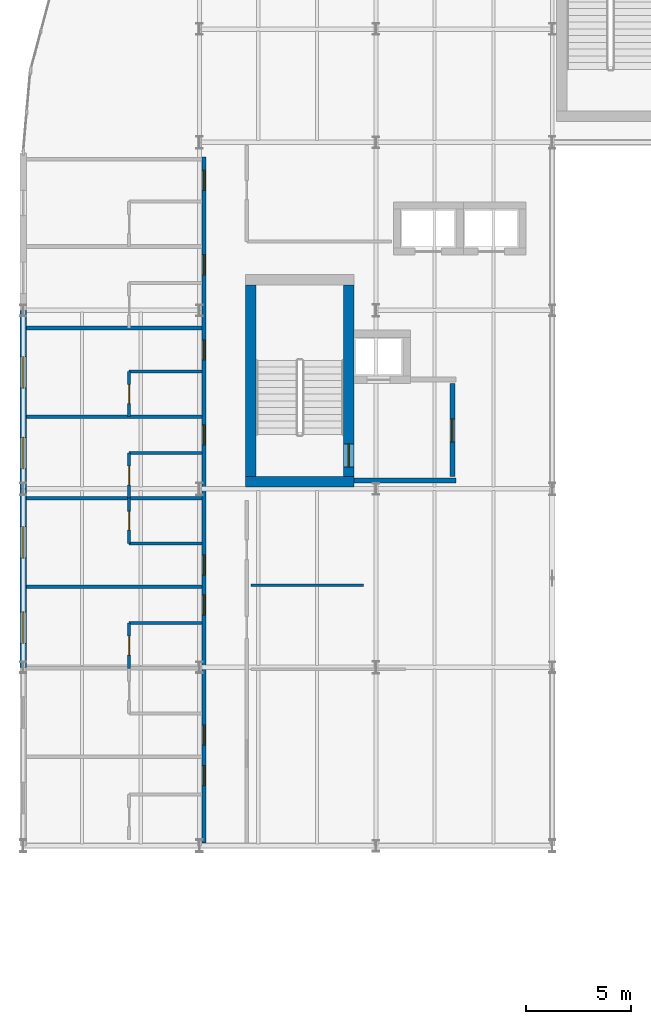
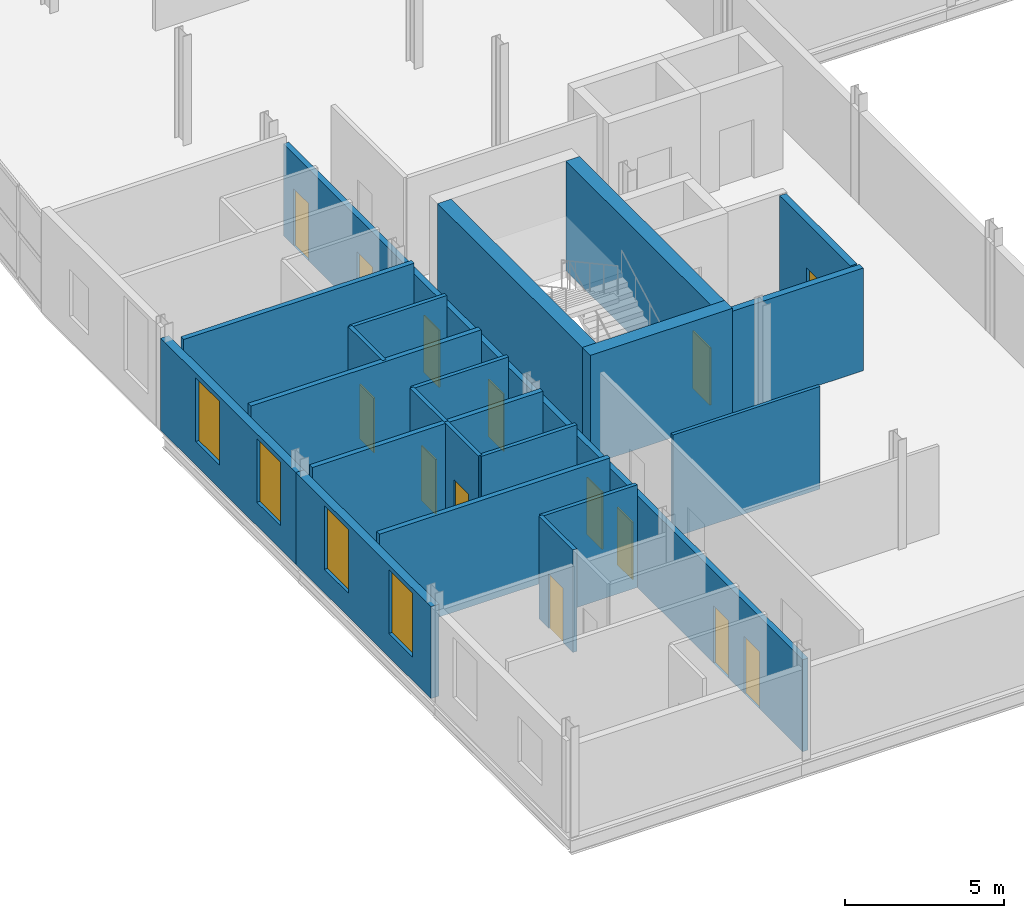
# One storey, part 31 of 45: 21 walls, 14 doors, 4 windows, 18 openings.
"""IFC4 building model written with IfcOpenShell, lengths in metres."""

from ifc_helpers import new_model, si_unit, direction, frame, frame_2d, origin, place, context, subcontext, project, spatial, rectangle, extrude, material, layer, layer_set, type_object, element, fill, save


model = new_model("IFC4")

# Units and contexts
model_context = context("Model", 3, precision=1e-05, world=origin(), true_north=direction((0.0, 1.0)))
body_context = subcontext(model_context, "Body", "Model", "MODEL_VIEW")
ifc_project = project(units=[si_unit("LENGTHUNIT", "METRE"), si_unit("AREAUNIT", "SQUARE_METRE"), si_unit("VOLUMEUNIT", "CUBIC_METRE"), si_unit("PLANEANGLEUNIT", "RADIAN"), si_unit("MASSUNIT", "GRAM", prefix="KILO")], contexts=[model_context])

# Site, building, storey
site_placement = place(None, origin())
site = spatial("IfcSite", under=ifc_project, at=site_placement, CompositionType="ELEMENT")
building_placement = place(site_placement, origin())
building = spatial("IfcBuilding", under=site, at=building_placement, Name="Sefraquen Railside Congress Hotel", CompositionType="ELEMENT")
storey_placement = place(building_placement, frame((0.0, 0.0, 20.39990234375)))
storey = spatial("IfcBuildingStorey", under=building, at=storey_placement, Name="L04", CompositionType="ELEMENT", Elevation=20.39990234375)

# Walls
ifc_material_1 = material(Name="Concrete C50/60", Category="concrete")
ifc_layer_1 = layer(ifc_material_1, 0.5)
ifc_layer_set_1 = layer_set([ifc_layer_1], Name="Concrete C50/60")
wall_type_1 = type_object("IfcWallType", Name="TW-CW-500", PredefinedType="SHEAR", material=ifc_layer_set_1)
wall_1_placement = place(storey_placement, frame((10.60009765625, 79.85009765625, 0.0), z_axis=(0.0, 0.0, 1.0), x_axis=(1.0, 0.0, 0.0)))
element("IfcWall", 1, at=wall_1_placement, inside=storey, type_object=wall_type_1, Name="Core shear wall ST-H01 S L04", PredefinedType="SHEAR", context=body_context, shape_type="SweptSolid", body=[
    extrude(rectangle(XDim=5.159912109375, YDim=0.5, at=frame_2d((2.580078125, 0.0))), origin(), (0.0, 0.0, 1.0), 4.2001953125),
])
wall_2_placement = place(storey_placement, frame((10.85009765625, 80.10009765625, 0.0), z_axis=(0.0, 0.0, 1.0), x_axis=(0.0, 1.0, 0.0)))
element("IfcWall", 2, at=wall_2_placement, inside=storey, type_object=wall_type_1, Name="Core shear wall ST-H01 W L04", PredefinedType="SHEAR", context=body_context, shape_type="SweptSolid", body=[
    extrude(rectangle(XDim=9.11181640625, YDim=0.5, at=frame_2d((4.555908203125, 0.0))), origin(), (0.0, 0.0, 1.0), 4.2001953125),
])

# Wall, opening, door
wall_3_placement = place(storey_placement, frame((15.510009765625, 80.10009765625, 0.0), z_axis=(0.0, 0.0, 1.0), x_axis=(0.0, 1.0, 0.0)))
wall_3 = element("IfcWall", 3, at=wall_3_placement, inside=storey, type_object=wall_type_1, Name="Core shear wall ST-H01 E L04", PredefinedType="SHEAR", context=body_context, shape_type="SweptSolid", body=[
    extrude(rectangle(XDim=9.11181640625, YDim=0.5, at=frame_2d((4.555908203125, 0.0))), origin(), (0.0, 0.0, 1.0), 4.2001953125),
])
opening_1_placement = place(wall_3_placement, frame((0.43994140625, 0.0, 0.0)))
opening_1 = element("IfcOpeningElement", 4, at=opening_1_placement, cuts=wall_3, Name="Opening FD-04", PredefinedType="OPENING", context=body_context, shape_type="SweptSolid", body=[
    extrude(rectangle(XDim=1.10009765625, YDim=2.199951171875, at=frame_2d((0.550048828125, 1.10009765625))), frame((0.0, 0.260009765625, 0.0), z_axis=(0.0, -1.0, 0.0), x_axis=(1.0, 0.0, 0.0)), (0.0, 0.0, 1.0), 0.52001953125),
])
ifc_material_2 = material(Name="Fire-rated steel", Category="steel")
door_type_1 = type_object("IfcDoorType", Name="TD-FD-04", OperationType="NOTDEFINED", PredefinedType="DOOR", material=ifc_material_2)
door_1_placement = place(opening_1_placement, origin())
door_1 = element("IfcDoor", 5, at=door_1_placement, inside=storey, type_object=door_type_1, Name="Pressurized stair ST-H01 fire door L04", OperationType="SINGLE_SWING_RIGHT", OverallHeight=2.199951171875, OverallWidth=1.10009765625, PredefinedType="DOOR", context=body_context, shape_type="SweptSolid", body=[
    extrude(rectangle(XDim=1.10009765625, YDim=2.199951171875, at=frame_2d((0.550048828125, 1.10009765625))), frame((0.0, 0.02490234375, 0.0), z_axis=(0.0, -1.0, 0.0), x_axis=(1.0, 0.0, 0.0)), (0.0, 0.0, 1.0), 0.050048828125),
])
fill(opening_1, door_1)

# Wall, openings, windows
ifc_material_3 = material(Name="Ochre Rabat calcarenite limestone and Concrete C40/50 backing", Category="masonry")
ifc_layer_2 = layer(ifc_material_3, 0.300048828125)
ifc_layer_set_2 = layer_set([ifc_layer_2], Name="Ochre Rabat calcarenite limestone and Concrete C40/50 backing")
wall_type_2 = type_object("IfcWallType", Name="TW-EW-300", PredefinedType="STANDARD", material=ifc_layer_set_2)
wall_4_placement = place(storey_placement, frame((0.0, 71.0, 0.0), z_axis=(0.0, 0.0, 1.0), x_axis=(0.0, 1.0, 0.0)))
wall_4 = element("IfcWall", 6, at=wall_4_placement, inside=storey, type_object=wall_type_2, Name="Hotel L04 West Forecourt facade wall", PredefinedType="STANDARD", context=body_context, shape_type="SweptSolid", body=[
    extrude(rectangle(XDim=8.5, YDim=0.300048828125, at=frame_2d((4.25, 0.0))), origin(), (0.0, 0.0, 1.0), 3.530029296875),
])
opening_2_placement = place(wall_4_placement, frame((1.14697265625, 0.0, 0.89990234375)))
opening_2 = element("IfcOpeningElement", 7, at=opening_2_placement, cuts=wall_4, Name="Opening WN-26", PredefinedType="OPENING", context=body_context, shape_type="SweptSolid", body=[
    extrude(rectangle(XDim=1.5, YDim=2.449951171875, at=frame_2d((0.75, 1.22509765625))), frame((0.0, 0.159912109375, 0.0), z_axis=(0.0, -1.0, 0.0), x_axis=(1.0, 0.0, 0.0)), (0.0, 0.0, 1.0), 0.320068359375),
])
opening_3_placement = place(wall_4_placement, frame((5.197021484375, 0.0, 0.89990234375)))
opening_3 = element("IfcOpeningElement", 8, at=opening_3_placement, cuts=wall_4, Name="Opening WN-27", PredefinedType="OPENING", context=body_context, shape_type="SweptSolid", body=[
    extrude(rectangle(XDim=1.5, YDim=2.449951171875, at=frame_2d((0.75, 1.22509765625))), frame((0.0, 0.159912109375, 0.0), z_axis=(0.0, -1.0, 0.0), x_axis=(1.0, 0.0, 0.0)), (0.0, 0.0, 1.0), 0.320068359375),
])
ifc_material_4 = material(Name="Solar-control low-E double glazing in bronze-anodised frame", Category="glass")
window_type_1 = type_object("IfcWindowType", Name="TWN-W-26", PartitioningType="DOUBLE_PANEL_VERTICAL", PredefinedType="WINDOW", material=ifc_material_4)
window_1_placement = place(opening_2_placement, origin())
window_1 = element("IfcWindow", 9, at=window_1_placement, inside=storey, type_object=window_type_1, Name="Guest room west window SP-L04-RM-026", OverallHeight=2.449951171875, OverallWidth=1.5, PartitioningType="DOUBLE_PANEL_VERTICAL", PredefinedType="WINDOW", context=body_context, shape_type="SweptSolid", body=[
    extrude(rectangle(XDim=1.5, YDim=2.449951171875, at=frame_2d((0.75, 1.22509765625))), frame((0.0, 0.030029296875, 0.0), z_axis=(0.0, -1.0, 0.0), x_axis=(1.0, 0.0, 0.0)), (0.0, 0.0, 1.0), 0.06005859375),
])
fill(opening_2, window_1)
window_type_2 = type_object("IfcWindowType", Name="TWN-W-27", PartitioningType="DOUBLE_PANEL_VERTICAL", PredefinedType="WINDOW", material=ifc_material_4)
window_2_placement = place(opening_3_placement, origin())
window_2 = element("IfcWindow", 10, at=window_2_placement, inside=storey, type_object=window_type_2, Name="Guest room west window SP-L04-RM-027", OverallHeight=2.449951171875, OverallWidth=1.5, PartitioningType="DOUBLE_PANEL_VERTICAL", PredefinedType="WINDOW", context=body_context, shape_type="SweptSolid", body=[
    extrude(rectangle(XDim=1.5, YDim=2.449951171875, at=frame_2d((0.75, 1.22509765625))), frame((0.0, 0.030029296875, 0.0), z_axis=(0.0, -1.0, 0.0), x_axis=(1.0, 0.0, 0.0)), (0.0, 0.0, 1.0), 0.06005859375),
])
fill(opening_3, window_2)

wall_5_placement = place(storey_placement, frame((0.0, 79.5, 0.0), z_axis=(0.0, 0.0, 1.0), x_axis=(0.0, 1.0, 0.0)))
wall_5 = element("IfcWall", 11, at=wall_5_placement, inside=storey, type_object=wall_type_2, Name="Hotel L04 West Forecourt facade wall", PredefinedType="STANDARD", context=body_context, shape_type="SweptSolid", body=[
    extrude(rectangle(XDim=8.5, YDim=0.300048828125, at=frame_2d((4.25, 0.0))), origin(), (0.0, 0.0, 1.0), 3.530029296875),
])
opening_4_placement = place(wall_5_placement, frame((0.947021484375, 0.0, 0.89990234375)))
opening_4 = element("IfcOpeningElement", 12, at=opening_4_placement, cuts=wall_5, Name="Opening WN-28", PredefinedType="OPENING", context=body_context, shape_type="SweptSolid", body=[
    extrude(rectangle(XDim=1.5, YDim=2.449951171875, at=frame_2d((0.75, 1.22509765625))), frame((0.0, 0.159912109375, 0.0), z_axis=(0.0, -1.0, 0.0), x_axis=(1.0, 0.0, 0.0)), (0.0, 0.0, 1.0), 0.320068359375),
])
opening_5_placement = place(wall_5_placement, frame((4.797119140625, 0.0, 0.89990234375)))
opening_5 = element("IfcOpeningElement", 13, at=opening_5_placement, cuts=wall_5, Name="Opening WN-29", PredefinedType="OPENING", context=body_context, shape_type="SweptSolid", body=[
    extrude(rectangle(XDim=1.5, YDim=2.449951171875, at=frame_2d((0.75, 1.22509765625))), frame((0.0, 0.159912109375, 0.0), z_axis=(0.0, -1.0, 0.0), x_axis=(1.0, 0.0, 0.0)), (0.0, 0.0, 1.0), 0.320068359375),
])
window_type_3 = type_object("IfcWindowType", Name="TWN-W-28", PartitioningType="DOUBLE_PANEL_VERTICAL", PredefinedType="WINDOW", material=ifc_material_4)
window_3_placement = place(opening_4_placement, origin())
window_3 = element("IfcWindow", 14, at=window_3_placement, inside=storey, type_object=window_type_3, Name="Guest room west window SP-L04-RM-028", OverallHeight=2.449951171875, OverallWidth=1.5, PartitioningType="DOUBLE_PANEL_VERTICAL", PredefinedType="WINDOW", context=body_context, shape_type="SweptSolid", body=[
    extrude(rectangle(XDim=1.5, YDim=2.449951171875, at=frame_2d((0.75, 1.22509765625))), frame((0.0, 0.030029296875, 0.0), z_axis=(0.0, -1.0, 0.0), x_axis=(1.0, 0.0, 0.0)), (0.0, 0.0, 1.0), 0.06005859375),
])
fill(opening_4, window_3)
window_type_4 = type_object("IfcWindowType", Name="TWN-W-29", PartitioningType="DOUBLE_PANEL_VERTICAL", PredefinedType="WINDOW", material=ifc_material_4)
window_4_placement = place(opening_5_placement, origin())
window_4 = element("IfcWindow", 15, at=window_4_placement, inside=storey, type_object=window_type_4, Name="Guest room west window SP-L04-RM-029", OverallHeight=2.449951171875, OverallWidth=1.5, PartitioningType="DOUBLE_PANEL_VERTICAL", PredefinedType="WINDOW", context=body_context, shape_type="SweptSolid", body=[
    extrude(rectangle(XDim=1.5, YDim=2.449951171875, at=frame_2d((0.75, 1.22509765625))), frame((0.0, 0.030029296875, 0.0), z_axis=(0.0, -1.0, 0.0), x_axis=(1.0, 0.0, 0.0)), (0.0, 0.0, 1.0), 0.06005859375),
])
fill(opening_5, window_4)

# Wall
ifc_material_5 = material(Name="Concrete C40/50", Category="concrete")
ifc_layer_3 = layer(ifc_material_5, 0.239990234375)
ifc_layer_set_3 = layer_set([ifc_layer_3], Name="Concrete C40/50")
wall_type_3 = type_object("IfcWallType", Name="TW-FW-240", PredefinedType="STANDARD", material=ifc_layer_set_3)
wall_6_placement = place(storey_placement, frame((15.760009765625, 79.89990234375, 0.0), z_axis=(0.0, 0.0, 1.0), x_axis=(1.0, 0.0, 0.0)))
element("IfcWall", 16, at=wall_6_placement, inside=storey, type_object=wall_type_3, Name="Firefighting Lift Lobby FFL-01 S fire wall L04", PredefinedType="STANDARD", context=body_context, shape_type="SweptSolid", body=[
    extrude(rectangle(XDim=4.860107421875, YDim=0.239990234375, at=frame_2d((2.43017578125, 0.0))), origin(), (0.0, 0.0, 1.0), 3.940185546875),
])

# Wall, opening, door
wall_7_placement = place(storey_placement, frame((20.43994140625, 80.080078125, 0.0), z_axis=(0.0, 0.0, 1.0), x_axis=(0.0, 1.0, 0.0)))
wall_7 = element("IfcWall", 17, at=wall_7_placement, inside=storey, type_object=wall_type_3, Name="Firefighting Lift Lobby FFL-01 EI 120 separation wall L04", PredefinedType="STANDARD", context=body_context, shape_type="SweptSolid", body=[
    extrude(rectangle(XDim=4.449951171875, YDim=0.239990234375, at=frame_2d((2.22509765625, 0.0))), origin(), (0.0, 0.0, 1.0), 3.940185546875),
])
opening_6_placement = place(wall_7_placement, frame((1.64990234375, 0.0, 0.0)))
opening_6 = element("IfcOpeningElement", 18, at=opening_6_placement, cuts=wall_7, Name="Opening FD-04", PredefinedType="OPENING", context=body_context, shape_type="SweptSolid", body=[
    extrude(rectangle(XDim=1.10009765625, YDim=2.199951171875, at=frame_2d((0.550048828125, 1.10009765625))), frame((0.0, 0.1298828125, 0.0), z_axis=(0.0, -1.0, 0.0), x_axis=(1.0, 0.0, 0.0)), (0.0, 0.0, 1.0), 0.260009765625),
])
door_2_placement = place(opening_6_placement, origin())
door_2 = element("IfcDoor", 19, at=door_2_placement, inside=storey, type_object=door_type_1, Name="Firefighting Lift Lobby FFL-01 self-closing fire door L04", OperationType="SINGLE_SWING_RIGHT", OverallHeight=2.199951171875, OverallWidth=1.10009765625, PredefinedType="DOOR", context=body_context, shape_type="SweptSolid", body=[
    extrude(rectangle(XDim=1.10009765625, YDim=2.199951171875, at=frame_2d((0.550048828125, 1.10009765625))), frame((0.0, 0.02490234375, 0.0), z_axis=(0.0, -1.0, 0.0), x_axis=(1.0, 0.0, 0.0)), (0.0, 0.0, 1.0), 0.050048828125),
])
fill(opening_6, door_2)

# Walls
ifc_material_6 = material(Name="Gypsum board on metal stud", Category="gypsum")
ifc_layer_4 = layer(ifc_material_6, 0.1201171875)
ifc_layer_set_4 = layer_set([ifc_layer_4], Name="Gypsum board on metal stud")
wall_type_4 = type_object("IfcWallType", Name="TW-PW-120", PredefinedType="PARTITIONING", material=ifc_layer_set_4)
wall_8_placement = place(storey_placement, frame((10.85009765625, 74.89990234375, 0.0), z_axis=(0.0, 0.0, 1.0), x_axis=(1.0, 0.0, 0.0)))
element("IfcWall", 20, at=wall_8_placement, inside=storey, type_object=wall_type_4, Name="Pantry-WC divider L04", PredefinedType="PARTITIONING", context=body_context, shape_type="SweptSolid", body=[
    extrude(rectangle(XDim=5.349853515625, YDim=0.1201171875, at=frame_2d((2.6748046875, 0.0))), origin(), (0.0, 0.0, 1.0), 3.940185546875),
])
ifc_material_7 = material(Name="Moisture-resistant gypsum board", Category="gypsum")
ifc_layer_5 = layer(ifc_material_7, 0.139892578125)
ifc_layer_set_5 = layer_set([ifc_layer_5], Name="Moisture-resistant gypsum board")
wall_type_5 = type_object("IfcWallType", Name="TW-PW-140", PredefinedType="PARTITIONING", material=ifc_layer_set_5)
wall_9_placement = place(storey_placement, frame((5.050048828125, 73.10595703125, 0.0), z_axis=(0.0, 0.0, 1.0), x_axis=(1.0, 0.0, 0.0)))
element("IfcWall", 21, at=wall_9_placement, inside=storey, type_object=wall_type_5, Name="West en-suite bathroom north wall RM-026", PredefinedType="PARTITIONING", context=body_context, shape_type="SweptSolid", body=[
    extrude(rectangle(XDim=3.469970703125, YDim=0.139892578125, at=frame_2d((1.73486328125, 0.0))), origin(), (0.0, 0.0, 1.0), 3.940185546875),
])

# Wall, opening, door
wall_10_placement = place(storey_placement, frame((5.050048828125, 70.9560546875, 0.0), z_axis=(0.0, 0.0, 1.0), x_axis=(0.0, 1.0, 0.0)))
wall_10 = element("IfcWall", 22, at=wall_10_placement, inside=storey, type_object=wall_type_5, Name="West en-suite bathroom west wall RM-026", PredefinedType="PARTITIONING", context=body_context, shape_type="SweptSolid", body=[
    extrude(rectangle(XDim=2.14990234375, YDim=0.139892578125, at=frame_2d((1.074951171875, 0.0))), origin(), (0.0, 0.0, 1.0), 3.940185546875),
])
opening_7_placement = place(wall_10_placement, frame((0.625, 0.0, 0.0)))
opening_7 = element("IfcOpeningElement", 23, at=opening_7_placement, cuts=wall_10, Name="Opening ID-02", PredefinedType="OPENING", context=body_context, shape_type="SweptSolid", body=[
    extrude(rectangle(XDim=0.89990234375, YDim=2.10009765625, at=frame_2d((0.449951171875, 1.050048828125))), frame((0.0, 0.079833984375, 0.0), z_axis=(0.0, -1.0, 0.0), x_axis=(1.0, 0.0, 0.0)), (0.0, 0.0, 1.0), 0.159912109375),
])
ifc_material_8 = material(Name="Lacquered cedar joinery", Category="wood")
door_type_2 = type_object("IfcDoorType", Name="TD-ID-02", OperationType="NOTDEFINED", PredefinedType="DOOR", material=ifc_material_8)
door_3_placement = place(opening_7_placement, frame((0.89990234375, 0.0, 0.0), z_axis=(0.0, 0.0, 1.0), x_axis=(-1.0, 0.0, 0.0)))
door_3 = element("IfcDoor", 24, at=door_3_placement, inside=storey, type_object=door_type_2, Name="En-suite bathroom door RM-026", OperationType="SINGLE_SWING_RIGHT", OverallHeight=2.10009765625, OverallWidth=0.89990234375, PredefinedType="DOOR", context=body_context, shape_type="SweptSolid", body=[
    extrude(rectangle(XDim=0.89990234375, YDim=2.10009765625, at=frame_2d((0.449951171875, 1.050048828125))), frame((0.0, 0.02490234375, 0.0), z_axis=(0.0, -1.0, 0.0), x_axis=(1.0, 0.0, 0.0)), (0.0, 0.0, 1.0), 0.050048828125),
])
fill(opening_7, door_3)

# Wall
wall_11_placement = place(storey_placement, frame((5.050048828125, 76.906005859375, 0.0), z_axis=(0.0, 0.0, 1.0), x_axis=(1.0, 0.0, 0.0)))
element("IfcWall", 25, at=wall_11_placement, inside=storey, type_object=wall_type_5, Name="West en-suite bathroom south wall RM-027", PredefinedType="PARTITIONING", context=body_context, shape_type="SweptSolid", body=[
    extrude(rectangle(XDim=3.469970703125, YDim=0.139892578125, at=frame_2d((1.73486328125, 0.0))), origin(), (0.0, 0.0, 1.0), 3.940185546875),
])

# Wall, opening, door
wall_12_placement = place(storey_placement, frame((5.050048828125, 76.906005859375, 0.0), z_axis=(0.0, 0.0, 1.0), x_axis=(0.0, 1.0, 0.0)))
wall_12 = element("IfcWall", 26, at=wall_12_placement, inside=storey, type_object=wall_type_5, Name="West en-suite bathroom west wall RM-027", PredefinedType="PARTITIONING", context=body_context, shape_type="SweptSolid", body=[
    extrude(rectangle(XDim=2.14990234375, YDim=0.139892578125, at=frame_2d((1.074951171875, 0.0))), origin(), (0.0, 0.0, 1.0), 3.940185546875),
])
opening_8_placement = place(wall_12_placement, frame((0.625, 0.0, 0.0)))
opening_8 = element("IfcOpeningElement", 27, at=opening_8_placement, cuts=wall_12, Name="Opening ID-02", PredefinedType="OPENING", context=body_context, shape_type="SweptSolid", body=[
    extrude(rectangle(XDim=0.89990234375, YDim=2.10009765625, at=frame_2d((0.449951171875, 1.050048828125))), frame((0.0, 0.079833984375, 0.0), z_axis=(0.0, -1.0, 0.0), x_axis=(1.0, 0.0, 0.0)), (0.0, 0.0, 1.0), 0.159912109375),
])
door_4_placement = place(opening_8_placement, frame((0.89990234375, 0.0, 0.0), z_axis=(0.0, 0.0, 1.0), x_axis=(-1.0, 0.0, 0.0)))
door_4 = element("IfcDoor", 28, at=door_4_placement, inside=storey, type_object=door_type_2, Name="En-suite bathroom door RM-027", OperationType="SINGLE_SWING_RIGHT", OverallHeight=2.10009765625, OverallWidth=0.89990234375, PredefinedType="DOOR", context=body_context, shape_type="SweptSolid", body=[
    extrude(rectangle(XDim=0.89990234375, YDim=2.10009765625, at=frame_2d((0.449951171875, 1.050048828125))), frame((0.0, 0.02490234375, 0.0), z_axis=(0.0, -1.0, 0.0), x_axis=(1.0, 0.0, 0.0)), (0.0, 0.0, 1.0), 0.050048828125),
])
fill(opening_8, door_4)

# Wall
wall_13_placement = place(storey_placement, frame((5.050048828125, 81.2060546875, 0.0), z_axis=(0.0, 0.0, 1.0), x_axis=(1.0, 0.0, 0.0)))
element("IfcWall", 29, at=wall_13_placement, inside=storey, type_object=wall_type_5, Name="West en-suite bathroom north wall RM-028", PredefinedType="PARTITIONING", context=body_context, shape_type="SweptSolid", body=[
    extrude(rectangle(XDim=3.469970703125, YDim=0.139892578125, at=frame_2d((1.73486328125, 0.0))), origin(), (0.0, 0.0, 1.0), 3.940185546875),
])

# Wall, opening, door
wall_14_placement = place(storey_placement, frame((5.050048828125, 79.055908203125, 0.0), z_axis=(0.0, 0.0, 1.0), x_axis=(0.0, 1.0, 0.0)))
wall_14 = element("IfcWall", 30, at=wall_14_placement, inside=storey, type_object=wall_type_5, Name="West en-suite bathroom west wall RM-028", PredefinedType="PARTITIONING", context=body_context, shape_type="SweptSolid", body=[
    extrude(rectangle(XDim=2.150146484375, YDim=0.139892578125, at=frame_2d((1.0751953125, 0.0))), origin(), (0.0, 0.0, 1.0), 3.940185546875),
])
opening_9_placement = place(wall_14_placement, frame((0.625, 0.0, 0.0)))
opening_9 = element("IfcOpeningElement", 31, at=opening_9_placement, cuts=wall_14, Name="Opening ID-02", PredefinedType="OPENING", context=body_context, shape_type="SweptSolid", body=[
    extrude(rectangle(XDim=0.89990234375, YDim=2.10009765625, at=frame_2d((0.449951171875, 1.050048828125))), frame((0.0, 0.079833984375, 0.0), z_axis=(0.0, -1.0, 0.0), x_axis=(1.0, 0.0, 0.0)), (0.0, 0.0, 1.0), 0.159912109375),
])
door_5_placement = place(opening_9_placement, frame((0.89990234375, 0.0, 0.0), z_axis=(0.0, 0.0, 1.0), x_axis=(-1.0, 0.0, 0.0)))
door_5 = element("IfcDoor", 32, at=door_5_placement, inside=storey, type_object=door_type_2, Name="En-suite bathroom door RM-028", OperationType="SINGLE_SWING_RIGHT", OverallHeight=2.10009765625, OverallWidth=0.89990234375, PredefinedType="DOOR", context=body_context, shape_type="SweptSolid", body=[
    extrude(rectangle(XDim=0.89990234375, YDim=2.10009765625, at=frame_2d((0.449951171875, 1.050048828125))), frame((0.0, 0.02490234375, 0.0), z_axis=(0.0, -1.0, 0.0), x_axis=(1.0, 0.0, 0.0)), (0.0, 0.0, 1.0), 0.050048828125),
])
fill(opening_9, door_5)

# Wall
wall_15_placement = place(storey_placement, frame((5.050048828125, 85.087890625, 0.0), z_axis=(0.0, 0.0, 1.0), x_axis=(1.0, 0.0, 0.0)))
element("IfcWall", 33, at=wall_15_placement, inside=storey, type_object=wall_type_5, Name="West en-suite bathroom north wall RM-029", PredefinedType="PARTITIONING", context=body_context, shape_type="SweptSolid", body=[
    extrude(rectangle(XDim=3.469970703125, YDim=0.139892578125, at=frame_2d((1.73486328125, 0.0))), origin(), (0.0, 0.0, 1.0), 3.940185546875),
])

# Wall, opening, door
wall_16_placement = place(storey_placement, frame((5.050048828125, 82.93798828125, 0.0), z_axis=(0.0, 0.0, 1.0), x_axis=(0.0, 1.0, 0.0)))
wall_16 = element("IfcWall", 34, at=wall_16_placement, inside=storey, type_object=wall_type_5, Name="West en-suite bathroom west wall RM-029", PredefinedType="PARTITIONING", context=body_context, shape_type="SweptSolid", body=[
    extrude(rectangle(XDim=2.14990234375, YDim=0.139892578125, at=frame_2d((1.074951171875, 0.0))), origin(), (0.0, 0.0, 1.0), 3.940185546875),
])
opening_10_placement = place(wall_16_placement, frame((0.625, 0.0, 0.0)))
opening_10 = element("IfcOpeningElement", 35, at=opening_10_placement, cuts=wall_16, Name="Opening ID-02", PredefinedType="OPENING", context=body_context, shape_type="SweptSolid", body=[
    extrude(rectangle(XDim=0.89990234375, YDim=2.10009765625, at=frame_2d((0.449951171875, 1.050048828125))), frame((0.0, 0.079833984375, 0.0), z_axis=(0.0, -1.0, 0.0), x_axis=(1.0, 0.0, 0.0)), (0.0, 0.0, 1.0), 0.159912109375),
])
door_6_placement = place(opening_10_placement, frame((0.89990234375, 0.0, 0.0), z_axis=(0.0, 0.0, 1.0), x_axis=(-1.0, 0.0, 0.0)))
door_6 = element("IfcDoor", 36, at=door_6_placement, inside=storey, type_object=door_type_2, Name="En-suite bathroom door RM-029", OperationType="SINGLE_SWING_RIGHT", OverallHeight=2.10009765625, OverallWidth=0.89990234375, PredefinedType="DOOR", context=body_context, shape_type="SweptSolid", body=[
    extrude(rectangle(XDim=0.89990234375, YDim=2.10009765625, at=frame_2d((0.449951171875, 1.050048828125))), frame((0.0, 0.02490234375, 0.0), z_axis=(0.0, -1.0, 0.0), x_axis=(1.0, 0.0, 0.0)), (0.0, 0.0, 1.0), 0.050048828125),
])
fill(opening_10, door_6)

# Walls
ifc_material_9 = material(Name="Acoustic gypsum board on metal stud", Category="gypsum")
ifc_layer_6 = layer(ifc_material_9, 0.179931640625)
ifc_layer_set_6 = layer_set([ifc_layer_6], Name="Acoustic gypsum board on metal stud")
wall_type_6 = type_object("IfcWallType", Name="TW-PW-180", PredefinedType="PARTITIONING", material=ifc_layer_set_6)
for number, where, z_axis, x_axis, name in (
    (37, (0.14990234375, 74.837890625, 0.0), (0.0, 0.0, 1.0), (1.0, 0.0, 0.0), "West return guest room demising wall RM-026"),
    (38, (0.14990234375, 79.055908203125, 0.0), (0.0, 0.0, 1.0), (1.0, 0.0, 0.0), "West return guest room demising wall RM-027"),
    (39, (0.14990234375, 82.93798828125, 0.0), (0.0, 0.0, 1.0), (1.0, 0.0, 0.0), "West return guest room demising wall RM-028"),
    (40, (0.14990234375, 87.156005859375, 0.0), (0.0, 0.0, 1.0), (1.0, 0.0, 0.0), "West return guest room demising wall RM-029"),
):
    element("IfcWall", number, at=place(storey_placement, frame(where, z_axis=z_axis, x_axis=x_axis)), inside=storey, type_object=wall_type_6, Name=name, PredefinedType="PARTITIONING", context=body_context, shape_type="SweptSolid", body=[
        extrude(rectangle(XDim=8.3701171875, YDim=0.179931640625, at=frame_2d((4.18505859375, 0.0))), origin(), (0.0, 0.0, 1.0), 3.940185546875),
    ])

# Wall, openings, doors
ifc_layer_7 = layer(ifc_material_9, 0.199951171875)
ifc_layer_set_7 = layer_set([ifc_layer_7], Name="Acoustic gypsum board on metal stud")
wall_type_7 = type_object("IfcWallType", Name="TW-PW-200", PredefinedType="PARTITIONING", material=ifc_layer_set_7)
wall_17_placement = place(storey_placement, frame((8.6201171875, 62.639892578125, 0.0), z_axis=(0.0, 0.0, 1.0), x_axis=(0.0, 1.0, 0.0)))
wall_17 = element("IfcWall", 41, at=wall_17_placement, inside=storey, type_object=wall_type_7, Name="Hotel L04 west-return corridor W partition", PredefinedType="PARTITIONING", context=body_context, shape_type="SweptSolid", body=[
    extrude(rectangle(XDim=32.66015625, YDim=0.199951171875, at=frame_2d((16.330078125, 0.0))), origin(), (0.0, 0.0, 1.0), 3.530029296875),
])
opening_11_placement = place(wall_17_placement, frame((2.72412109375, 0.0, 0.0)))
opening_11 = element("IfcOpeningElement", 42, at=opening_11_placement, cuts=wall_17, Name="Opening GD-02", PredefinedType="OPENING", context=body_context, shape_type="SweptSolid", body=[
    extrude(rectangle(XDim=0.9599609375, YDim=2.199951171875, at=frame_2d((0.47998046875, 1.10009765625))), frame((0.0, 0.10986328125, 0.0), z_axis=(0.0, -1.0, 0.0), x_axis=(1.0, 0.0, 0.0)), (0.0, 0.0, 1.0), 0.219970703125),
])
opening_12_placement = place(wall_17_placement, frame((4.652099609375, 0.0, 0.0)))
opening_12 = element("IfcOpeningElement", 43, at=opening_12_placement, cuts=wall_17, Name="Opening GD-02", PredefinedType="OPENING", context=body_context, shape_type="SweptSolid", body=[
    extrude(rectangle(XDim=0.9599609375, YDim=2.199951171875, at=frame_2d((0.47998046875, 1.10009765625))), frame((0.0, 0.10986328125, 0.0), z_axis=(0.0, -1.0, 0.0), x_axis=(1.0, 0.0, 0.0)), (0.0, 0.0, 1.0), 0.219970703125),
])
opening_13_placement = place(wall_17_placement, frame((10.85205078125, 0.0, 0.0)))
opening_13 = element("IfcOpeningElement", 44, at=opening_13_placement, cuts=wall_17, Name="Opening GD-02", PredefinedType="OPENING", context=body_context, shape_type="SweptSolid", body=[
    extrude(rectangle(XDim=0.9599609375, YDim=2.199951171875, at=frame_2d((0.47998046875, 1.10009765625))), frame((0.0, 0.10986328125, 0.0), z_axis=(0.0, -1.0, 0.0), x_axis=(1.0, 0.0, 0.0)), (0.0, 0.0, 1.0), 0.219970703125),
])
opening_14_placement = place(wall_17_placement, frame((12.751953125, 0.0, 0.0)))
opening_14 = element("IfcOpeningElement", 45, at=opening_14_placement, cuts=wall_17, Name="Opening GD-02", PredefinedType="OPENING", context=body_context, shape_type="SweptSolid", body=[
    extrude(rectangle(XDim=0.9599609375, YDim=2.199951171875, at=frame_2d((0.47998046875, 1.10009765625))), frame((0.0, 0.10986328125, 0.0), z_axis=(0.0, -1.0, 0.0), x_axis=(1.0, 0.0, 0.0)), (0.0, 0.0, 1.0), 0.219970703125),
])
opening_15_placement = place(wall_17_placement, frame((18.951904296875, 0.0, 0.0)))
opening_15 = element("IfcOpeningElement", 46, at=opening_15_placement, cuts=wall_17, Name="Opening GD-02", PredefinedType="OPENING", context=body_context, shape_type="SweptSolid", body=[
    extrude(rectangle(XDim=0.9599609375, YDim=2.199951171875, at=frame_2d((0.47998046875, 1.10009765625))), frame((0.0, 0.10986328125, 0.0), z_axis=(0.0, -1.0, 0.0), x_axis=(1.0, 0.0, 0.0)), (0.0, 0.0, 1.0), 0.219970703125),
])
opening_16_placement = place(wall_17_placement, frame((23.001953125, 0.0, 0.0)))
opening_16 = element("IfcOpeningElement", 47, at=opening_16_placement, cuts=wall_17, Name="Opening GD-02", PredefinedType="OPENING", context=body_context, shape_type="SweptSolid", body=[
    extrude(rectangle(XDim=0.9599609375, YDim=2.199951171875, at=frame_2d((0.47998046875, 1.10009765625))), frame((0.0, 0.10986328125, 0.0), z_axis=(0.0, -1.0, 0.0), x_axis=(1.0, 0.0, 0.0)), (0.0, 0.0, 1.0), 0.219970703125),
])
opening_17_placement = place(wall_17_placement, frame((27.052001953125, 0.0, 0.0)))
opening_17 = element("IfcOpeningElement", 48, at=opening_17_placement, cuts=wall_17, Name="Opening GD-02", PredefinedType="OPENING", context=body_context, shape_type="SweptSolid", body=[
    extrude(rectangle(XDim=0.9599609375, YDim=2.199951171875, at=frame_2d((0.47998046875, 1.10009765625))), frame((0.0, 0.10986328125, 0.0), z_axis=(0.0, -1.0, 0.0), x_axis=(1.0, 0.0, 0.0)), (0.0, 0.0, 1.0), 0.219970703125),
])
opening_18_placement = place(wall_17_placement, frame((31.073974609375, 0.0, 0.0)))
opening_18 = element("IfcOpeningElement", 49, at=opening_18_placement, cuts=wall_17, Name="Opening GD-02", PredefinedType="OPENING", context=body_context, shape_type="SweptSolid", body=[
    extrude(rectangle(XDim=0.9599609375, YDim=2.199951171875, at=frame_2d((0.47998046875, 1.10009765625))), frame((0.0, 0.10986328125, 0.0), z_axis=(0.0, -1.0, 0.0), x_axis=(1.0, 0.0, 0.0)), (0.0, 0.0, 1.0), 0.219970703125),
])
ifc_material_10 = material(Name="Solid Atlas cedar timber fire leaf", Category="wood")
door_type_3 = type_object("IfcDoorType", Name="TD-GD-02", OperationType="NOTDEFINED", PredefinedType="DOOR", material=ifc_material_10)
door_7_placement = place(opening_11_placement, frame((0.9599609375, 0.0, 0.0), z_axis=(0.0, 0.0, 1.0), x_axis=(-1.0, 0.0, 0.0)))
door_7 = element("IfcDoor", 50, at=door_7_placement, inside=storey, type_object=door_type_3, Name="Guest room entrance fire door RM-024", OperationType="SINGLE_SWING_LEFT", OverallHeight=2.199951171875, OverallWidth=0.9599609375, PredefinedType="DOOR", context=body_context, shape_type="SweptSolid", body=[
    extrude(rectangle(XDim=0.9599609375, YDim=2.199951171875, at=frame_2d((0.47998046875, 1.10009765625))), frame((0.0, 0.02490234375, 0.0), z_axis=(0.0, -1.0, 0.0), x_axis=(1.0, 0.0, 0.0)), (0.0, 0.0, 1.0), 0.050048828125),
])
fill(opening_11, door_7)
door_8_placement = place(opening_12_placement, frame((0.9599609375, 0.0, 0.0), z_axis=(0.0, 0.0, 1.0), x_axis=(-1.0, 0.0, 0.0)))
door_8 = element("IfcDoor", 51, at=door_8_placement, inside=storey, type_object=door_type_3, Name="Guest room entrance fire door RM-025", OperationType="SINGLE_SWING_LEFT", OverallHeight=2.199951171875, OverallWidth=0.9599609375, PredefinedType="DOOR", context=body_context, shape_type="SweptSolid", body=[
    extrude(rectangle(XDim=0.9599609375, YDim=2.199951171875, at=frame_2d((0.47998046875, 1.10009765625))), frame((0.0, 0.02490234375, 0.0), z_axis=(0.0, -1.0, 0.0), x_axis=(1.0, 0.0, 0.0)), (0.0, 0.0, 1.0), 0.050048828125),
])
fill(opening_12, door_8)
door_9_placement = place(opening_13_placement, frame((0.9599609375, 0.0, 0.0), z_axis=(0.0, 0.0, 1.0), x_axis=(-1.0, 0.0, 0.0)))
door_9 = element("IfcDoor", 52, at=door_9_placement, inside=storey, type_object=door_type_3, Name="Guest room entrance fire door RM-026", OperationType="SINGLE_SWING_LEFT", OverallHeight=2.199951171875, OverallWidth=0.9599609375, PredefinedType="DOOR", context=body_context, shape_type="SweptSolid", body=[
    extrude(rectangle(XDim=0.9599609375, YDim=2.199951171875, at=frame_2d((0.47998046875, 1.10009765625))), frame((0.0, 0.02490234375, 0.0), z_axis=(0.0, -1.0, 0.0), x_axis=(1.0, 0.0, 0.0)), (0.0, 0.0, 1.0), 0.050048828125),
])
fill(opening_13, door_9)
door_10_placement = place(opening_14_placement, frame((0.9599609375, 0.0, 0.0), z_axis=(0.0, 0.0, 1.0), x_axis=(-1.0, 0.0, 0.0)))
door_10 = element("IfcDoor", 53, at=door_10_placement, inside=storey, type_object=door_type_3, Name="Guest room entrance fire door RM-027", OperationType="SINGLE_SWING_LEFT", OverallHeight=2.199951171875, OverallWidth=0.9599609375, PredefinedType="DOOR", context=body_context, shape_type="SweptSolid", body=[
    extrude(rectangle(XDim=0.9599609375, YDim=2.199951171875, at=frame_2d((0.47998046875, 1.10009765625))), frame((0.0, 0.02490234375, 0.0), z_axis=(0.0, -1.0, 0.0), x_axis=(1.0, 0.0, 0.0)), (0.0, 0.0, 1.0), 0.050048828125),
])
fill(opening_14, door_10)
door_11_placement = place(opening_15_placement, frame((0.9599609375, 0.0, 0.0), z_axis=(0.0, 0.0, 1.0), x_axis=(-1.0, 0.0, 0.0)))
door_11 = element("IfcDoor", 54, at=door_11_placement, inside=storey, type_object=door_type_3, Name="Guest room entrance fire door RM-028", OperationType="SINGLE_SWING_LEFT", OverallHeight=2.199951171875, OverallWidth=0.9599609375, PredefinedType="DOOR", context=body_context, shape_type="SweptSolid", body=[
    extrude(rectangle(XDim=0.9599609375, YDim=2.199951171875, at=frame_2d((0.47998046875, 1.10009765625))), frame((0.0, 0.02490234375, 0.0), z_axis=(0.0, -1.0, 0.0), x_axis=(1.0, 0.0, 0.0)), (0.0, 0.0, 1.0), 0.050048828125),
])
fill(opening_15, door_11)
door_12_placement = place(opening_16_placement, frame((0.9599609375, 0.0, 0.0), z_axis=(0.0, 0.0, 1.0), x_axis=(-1.0, 0.0, 0.0)))
door_12 = element("IfcDoor", 55, at=door_12_placement, inside=storey, type_object=door_type_3, Name="Guest room entrance fire door RM-029", OperationType="SINGLE_SWING_LEFT", OverallHeight=2.199951171875, OverallWidth=0.9599609375, PredefinedType="DOOR", context=body_context, shape_type="SweptSolid", body=[
    extrude(rectangle(XDim=0.9599609375, YDim=2.199951171875, at=frame_2d((0.47998046875, 1.10009765625))), frame((0.0, 0.02490234375, 0.0), z_axis=(0.0, -1.0, 0.0), x_axis=(1.0, 0.0, 0.0)), (0.0, 0.0, 1.0), 0.050048828125),
])
fill(opening_16, door_12)
door_13_placement = place(opening_17_placement, frame((0.9599609375, 0.0, 0.0), z_axis=(0.0, 0.0, 1.0), x_axis=(-1.0, 0.0, 0.0)))
door_13 = element("IfcDoor", 56, at=door_13_placement, inside=storey, type_object=door_type_3, Name="Guest room entrance fire door RM-030", OperationType="SINGLE_SWING_LEFT", OverallHeight=2.199951171875, OverallWidth=0.9599609375, PredefinedType="DOOR", context=body_context, shape_type="SweptSolid", body=[
    extrude(rectangle(XDim=0.9599609375, YDim=2.199951171875, at=frame_2d((0.47998046875, 1.10009765625))), frame((0.0, 0.02490234375, 0.0), z_axis=(0.0, -1.0, 0.0), x_axis=(1.0, 0.0, 0.0)), (0.0, 0.0, 1.0), 0.050048828125),
])
fill(opening_17, door_13)
door_14_placement = place(opening_18_placement, frame((0.9599609375, 0.0, 0.0), z_axis=(0.0, 0.0, 1.0), x_axis=(-1.0, 0.0, 0.0)))
door_14 = element("IfcDoor", 57, at=door_14_placement, inside=storey, type_object=door_type_3, Name="Guest room entrance fire door RM-031", OperationType="SINGLE_SWING_LEFT", OverallHeight=2.199951171875, OverallWidth=0.9599609375, PredefinedType="DOOR", context=body_context, shape_type="SweptSolid", body=[
    extrude(rectangle(XDim=0.9599609375, YDim=2.199951171875, at=frame_2d((0.47998046875, 1.10009765625))), frame((0.0, 0.02490234375, 0.0), z_axis=(0.0, -1.0, 0.0), x_axis=(1.0, 0.0, 0.0)), (0.0, 0.0, 1.0), 0.050048828125),
])
fill(opening_18, door_14)

save(model, "model.ifc")
